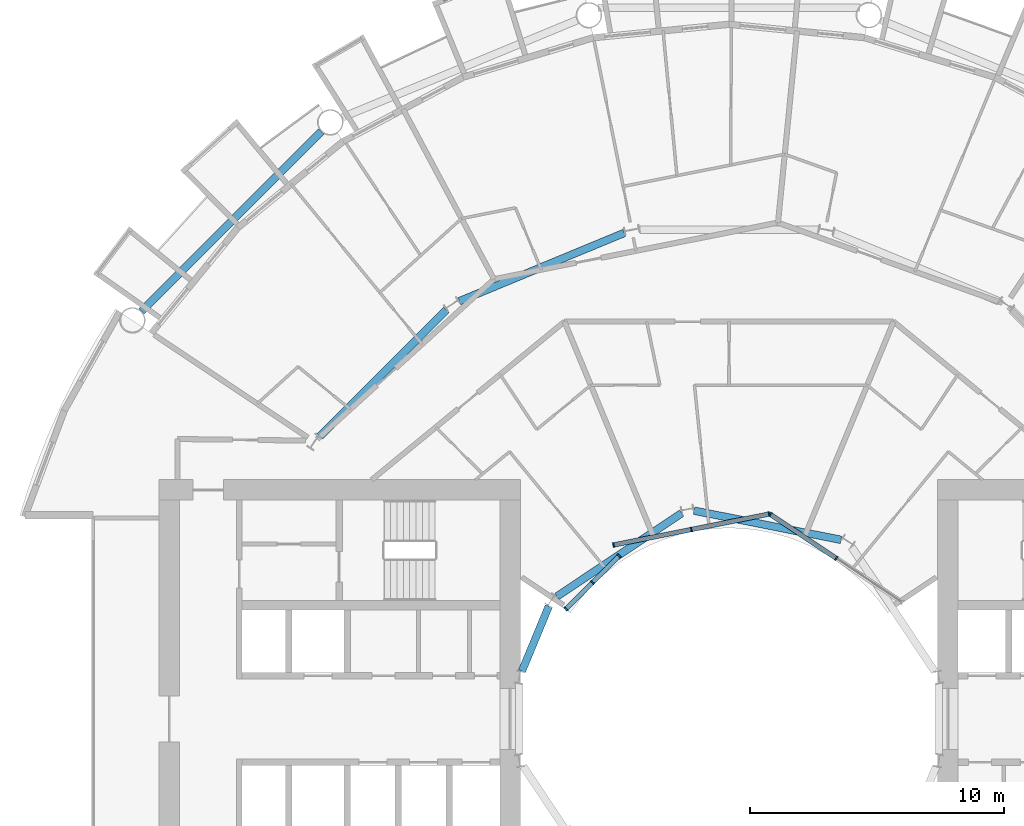
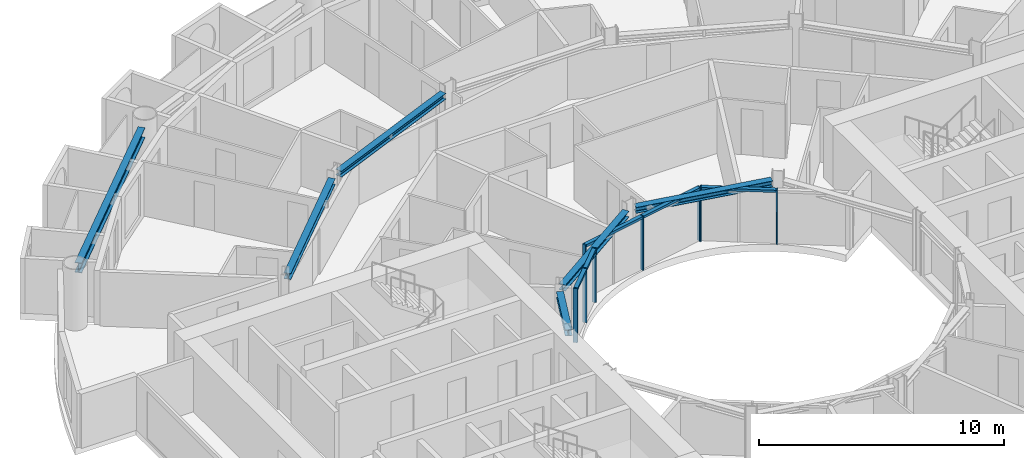
# One storey, part 7 of 26: 13 members, 6 beams, 3 elements without a shape of their own.
"""IFC4 building model written with IfcOpenShell, lengths in metres."""

from ifc_helpers import new_model, si_unit, direction, frame, origin, origin_2d, place, context, subcontext, project, spatial, rectangle, i_section, extrude, material, layer, layer_set, material_profile, profile_set, type_object, element, aggregate, save


model = new_model("IFC4")

# Units and contexts
model_context = context("Model", 3, precision=1e-05, world=origin(), true_north=direction((0.0, 1.0)))
body_context = subcontext(model_context, "Body", "Model", "MODEL_VIEW")
ifc_project = project(units=[si_unit("LENGTHUNIT", "METRE"), si_unit("AREAUNIT", "SQUARE_METRE"), si_unit("VOLUMEUNIT", "CUBIC_METRE"), si_unit("PLANEANGLEUNIT", "RADIAN"), si_unit("MASSUNIT", "GRAM", prefix="KILO")], contexts=[model_context])

# Site, building, storey
site_placement = place(None, origin())
site = spatial("IfcSite", under=ifc_project, at=site_placement, CompositionType="ELEMENT")
building_placement = place(site_placement, origin())
building = spatial("IfcBuilding", under=site, at=building_placement, Name="Maasbend Ring Residences", CompositionType="ELEMENT")
storey_placement = place(building_placement, frame((0.0, 0.0, 35.0)))
storey = spatial("IfcBuildingStorey", under=building, at=storey_placement, Name="L09", CompositionType="ELEMENT", Elevation=35.0)

# Curtain wall, members
ifc_material_1 = material(Name="Aluminium and clear glass", Category="aluminium")
ifc_layer = layer(ifc_material_1, 0.179931640625)
ifc_layer_set = layer_set([ifc_layer], Name="CW-W")
curtain_wall_type = type_object("IfcCurtainWallType", Name="CW-W", PredefinedType="NOTDEFINED", material=ifc_layer_set)
curtain_wall_1_placement = place(storey_placement, origin())
curtain_wall_1 = element("IfcCurtainWall", 1, at=curtain_wall_1_placement, inside=storey, type_object=curtain_wall_type, Name="Well curtain wall N1", PredefinedType="NOTDEFINED")
ifc_material_2 = material(Name="Aluminium 6063-T6", Category="aluminium")
ifc_material_profile_1 = material_profile(ifc_material_2, rectangle(XDim=0.179931640625, YDim=0.06005859375, at=origin_2d()), Name="AL 180x60")
ifc_profile_set_1 = profile_set([ifc_material_profile_1], Name="Aluminium 6063-T6")
member_type_1 = type_object("IfcMemberType", Name="CWM-W", PredefinedType="MULLION", material=ifc_profile_set_1)
member_1_placement = place(storey_placement, frame((4.216796875, 6.310791015625, 0.0), z_axis=(0.0, 0.0, 1.0), x_axis=(-0.55557023302, -0.831469612303, 0.0)))
member_1 = element("IfcMember", 2, at=member_1_placement, type_object=member_type_1, Name="Mullion well face", PredefinedType="MULLION", context=body_context, shape_type="SweptSolid", body=[
    extrude(rectangle(XDim=0.179931640625, YDim=0.06005859375, at=origin_2d()), origin(), (0.0, 0.0, 1.0), 2.699951171875),
])
member_2_placement = place(storey_placement, frame((1.627685546875, 8.040771484375, 0.0), z_axis=(0.0, 0.0, 1.0), x_axis=(-0.55557023302, -0.831469612303, 0.0)))
member_2 = element("IfcMember", 3, at=member_2_placement, type_object=member_type_1, Name="Mullion well face", PredefinedType="MULLION", context=body_context, shape_type="SweptSolid", body=[
    extrude(rectangle(XDim=0.179931640625, YDim=0.06005859375, at=origin_2d()), origin(), (0.0, 0.0, 1.0), 2.699951171875),
])

curtain_wall_2_placement = place(storey_placement, origin())
curtain_wall_2 = element("IfcCurtainWall", 4, at=curtain_wall_2_placement, inside=storey, type_object=curtain_wall_type, Name="Well curtain wall N2", PredefinedType="NOTDEFINED")
member_3_placement = place(storey_placement, frame((1.5732421875, 8.0517578125, 0.0), z_axis=(0.0, 0.0, 1.0), x_axis=(0.195090322016, -0.980785280403, 0.0)))
member_3 = element("IfcMember", 5, at=member_3_placement, type_object=member_type_1, Name="Mullion well face", PredefinedType="MULLION", context=body_context, shape_type="SweptSolid", body=[
    extrude(rectangle(XDim=0.179931640625, YDim=0.06005859375, at=origin_2d()), origin(), (0.0, 0.0, 1.0), 2.699951171875),
])
member_4_placement = place(storey_placement, frame((-1.480712890625, 7.444091796875, 0.0), z_axis=(0.0, 0.0, 1.0), x_axis=(0.195090322016, -0.980785280403, 0.0)))
member_4 = element("IfcMember", 6, at=member_4_placement, type_object=member_type_1, Name="Mullion well face", PredefinedType="MULLION", context=body_context, shape_type="SweptSolid", body=[
    extrude(rectangle(XDim=0.179931640625, YDim=0.06005859375, at=origin_2d()), origin(), (0.0, 0.0, 1.0), 2.699951171875),
])
member_5_placement = place(storey_placement, frame((-4.53466796875, 6.836669921875, 0.0), z_axis=(0.0, 0.0, 1.0), x_axis=(0.195090322016, -0.980785280403, 0.0)))
member_5 = element("IfcMember", 7, at=member_5_placement, type_object=member_type_1, Name="Mullion well face", PredefinedType="MULLION", context=body_context, shape_type="SweptSolid", body=[
    extrude(rectangle(XDim=0.179931640625, YDim=0.06005859375, at=origin_2d()), origin(), (0.0, 0.0, 1.0), 2.699951171875),
])

curtain_wall_3_placement = place(storey_placement, origin())
curtain_wall_3 = element("IfcCurtainWall", 8, at=curtain_wall_3_placement, inside=storey, type_object=curtain_wall_type, Name="Well curtain wall N3", PredefinedType="NOTDEFINED")
member_6_placement = place(storey_placement, frame((-4.320556640625, 6.413330078125, 0.0), z_axis=(0.0, 0.0, 1.0), x_axis=(0.707106781187, -0.707106781187, 0.0)))
member_6 = element("IfcMember", 9, at=member_6_placement, type_object=member_type_1, Name="Mullion well face", PredefinedType="MULLION", context=body_context, shape_type="SweptSolid", body=[
    extrude(rectangle(XDim=0.179931640625, YDim=0.06005859375, at=origin_2d()), origin(), (0.0, 0.0, 1.0), 2.699951171875),
])
member_7_placement = place(storey_placement, frame((-5.366943359375, 5.366943359375, 0.0), z_axis=(0.0, 0.0, 1.0), x_axis=(0.707106781187, -0.707106781187, 0.0)))
member_7 = element("IfcMember", 10, at=member_7_placement, type_object=member_type_1, Name="Mullion well face", PredefinedType="MULLION", context=body_context, shape_type="SweptSolid", body=[
    extrude(rectangle(XDim=0.179931640625, YDim=0.06005859375, at=origin_2d()), origin(), (0.0, 0.0, 1.0), 2.699951171875),
])
member_8_placement = place(storey_placement, frame((-6.413330078125, 4.320556640625, 0.0), z_axis=(0.0, 0.0, 1.0), x_axis=(0.707106781187, -0.707106781187, 0.0)))
member_8 = element("IfcMember", 11, at=member_8_placement, type_object=member_type_1, Name="Mullion well face", PredefinedType="MULLION", context=body_context, shape_type="SweptSolid", body=[
    extrude(rectangle(XDim=0.179931640625, YDim=0.06005859375, at=origin_2d()), origin(), (0.0, 0.0, 1.0), 2.699951171875),
])

# Member
ifc_material_3 = material(Name="Aluminium 6063-T6", Category="aluminium")
ifc_material_profile_2 = material_profile(ifc_material_3, rectangle(XDim=0.179931640625, YDim=0.1201171875, at=origin_2d()), Name="AL 180x120")
ifc_profile_set_2 = profile_set([ifc_material_profile_2], Name="Aluminium 6063-T6")
member_type_2 = type_object("IfcMemberType", Name="CWT-W", PredefinedType="USERDEFINED", material=ifc_profile_set_2)
member_9_placement = place(storey_placement, frame((4.19189453125, 6.32763671875, 2.639892578125), z_axis=(-0.831496422459, 0.555530106689, 0.0), x_axis=(-0.555530106689, -0.831496422459, 0.0)))
member_9 = element("IfcMember", 12, at=member_9_placement, type_object=member_type_2, Name="Transom well face", ObjectType="TRANSOM", PredefinedType="USERDEFINED", context=body_context, shape_type="SweptSolid", body=[
    extrude(rectangle(XDim=0.179931640625, YDim=0.1201171875, at=origin_2d()), origin(), (0.0, 0.0, 1.0), 3.053955078125),
])

aggregate(curtain_wall_1, [member_1, member_2, member_9])

member_10_placement = place(storey_placement, frame((1.5439453125, 8.0458984375, 2.639892578125), z_axis=(-0.980776956105, -0.195132166424, 0.0), x_axis=(0.195132166424, -0.980776956105, 0.0)))
member_10 = element("IfcMember", 13, at=member_10_placement, type_object=member_type_2, Name="Transom well face", ObjectType="TRANSOM", PredefinedType="USERDEFINED", context=body_context, shape_type="SweptSolid", body=[
    extrude(rectangle(XDim=0.179931640625, YDim=0.1201171875, at=origin_2d()), origin(), (0.0, 0.0, 1.0), 3.053955078125),
])

member_11_placement = place(storey_placement, frame((-1.51025390625, 7.438232421875, 2.639892578125), z_axis=(-0.980789210404, -0.19507056353, 0.0), x_axis=(0.19507056353, -0.980789210404, 0.0)))
member_11 = element("IfcMember", 14, at=member_11_placement, type_object=member_type_2, Name="Transom well face", ObjectType="TRANSOM", PredefinedType="USERDEFINED", context=body_context, shape_type="SweptSolid", body=[
    extrude(rectangle(XDim=0.179931640625, YDim=0.1201171875, at=origin_2d()), origin(), (0.0, 0.0, 1.0), 3.0537109375),
])

aggregate(curtain_wall_2, [member_3, member_4, member_5, member_10, member_11])

member_12_placement = place(storey_placement, frame((-4.341796875, 6.39208984375, 2.639892578125), z_axis=(-0.707106781187, -0.707106781187, 0.0), x_axis=(0.707106781187, -0.707106781187, 0.0)))
member_12 = element("IfcMember", 15, at=member_12_placement, type_object=member_type_2, Name="Transom well face", ObjectType="TRANSOM", PredefinedType="USERDEFINED", context=body_context, shape_type="SweptSolid", body=[
    extrude(rectangle(XDim=0.179931640625, YDim=0.1201171875, at=origin_2d()), origin(), (0.0, 0.0, 1.0), 1.419677734375),
])

member_13_placement = place(storey_placement, frame((-5.38818359375, 5.345703125, 2.639892578125), z_axis=(-0.707106781187, -0.707106781187, 0.0), x_axis=(0.707106781187, -0.707106781187, 0.0)))
member_13 = element("IfcMember", 16, at=member_13_placement, type_object=member_type_2, Name="Transom well face", ObjectType="TRANSOM", PredefinedType="USERDEFINED", context=body_context, shape_type="SweptSolid", body=[
    extrude(rectangle(XDim=0.179931640625, YDim=0.1201171875, at=origin_2d()), origin(), (0.0, 0.0, 1.0), 1.419677734375),
])

aggregate(curtain_wall_3, [member_6, member_7, member_8, member_12, member_13])

# Beams
ifc_material_4 = material(Name="Steel S355J2", Category="steel")
ifc_material_profile_3 = material_profile(ifc_material_4, i_section(OverallWidth=0.300048828125, OverallDepth=0.300048828125, WebThickness=0.010986328125, FlangeThickness=0.01904296875, FilletRadius=0.027099609375, at=origin_2d()), Name="HEB 300")
ifc_profile_set_3 = profile_set([ifc_material_profile_3], Name="Steel S355J2")
beam_type_1 = type_object("IfcBeamType", Name="Corridor ring beam HEB 300", PredefinedType="BEAM", material=ifc_profile_set_3)
beam_1_placement = place(storey_placement, frame((-4.11572265625, 19.102294921875, 2.550048828125), z_axis=(-0.923886196809, -0.38266734293, 0.0), x_axis=(0.38266734293, -0.923886196809, 0.0)))
element("IfcBeam", 17, at=beam_1_placement, inside=storey, type_object=beam_type_1, Name="Corridor ring beam", PredefinedType="BEAM", context=body_context, shape_type="SweptSolid", body=[
    extrude(i_section(OverallWidth=0.300048828125, OverallDepth=0.300048828125, WebThickness=0.010986328125, FlangeThickness=0.01904296875, FilletRadius=0.027099609375, at=origin_2d()), origin(), (0.0, 0.0, 1.0), 7.015380859375),
])
beam_2_placement = place(storey_placement, frame((-11.11279296875, 16.0732421875, 2.550048828125), z_axis=(-0.707106781187, -0.707106781187, 0.0), x_axis=(0.707106781187, -0.707106781187, 0.0)))
element("IfcBeam", 18, at=beam_2_placement, inside=storey, type_object=beam_type_1, Name="Corridor ring beam", PredefinedType="BEAM", context=body_context, shape_type="SweptSolid", body=[
    extrude(i_section(OverallWidth=0.300048828125, OverallDepth=0.300048828125, WebThickness=0.010986328125, FlangeThickness=0.01904296875, FilletRadius=0.027099609375, at=origin_2d()), origin(), (0.0, 0.0, 1.0), 7.01513671875),
])
ifc_material_5 = material(Name="Steel S355J2", Category="steel")
ifc_material_profile_4 = material_profile(ifc_material_5, i_section(OverallWidth=0.300048828125, OverallDepth=0.5, WebThickness=0.014404296875, FlangeThickness=0.028076171875, FilletRadius=0.027099609375, at=origin_2d()), Name="HEB 500")
ifc_profile_set_4 = profile_set([ifc_material_profile_4], Name="Steel S355J2")
beam_type_2 = type_object("IfcBeamType", Name="Spandrel ring beam HEB 500", PredefinedType="SPANDREL", material=ifc_profile_set_4)
beam_3_placement = place(storey_placement, frame((-16.0263671875, 23.088134765625, 2.449951171875), z_axis=(-0.707106781187, -0.707106781187, 0.0), x_axis=(0.707106781187, -0.707106781187, 0.0)))
element("IfcBeam", 19, at=beam_3_placement, inside=storey, type_object=beam_type_2, Name="Spandrel ring beam", PredefinedType="SPANDREL", context=body_context, shape_type="SweptSolid", body=[
    extrude(i_section(OverallWidth=0.300048828125, OverallDepth=0.5, WebThickness=0.014404296875, FlangeThickness=0.028076171875, FilletRadius=0.027099609375, at=origin_2d()), origin(), (0.0, 0.0, 1.0), 9.98681640625),
])
ifc_material_6 = material(Name="Steel S355J2", Category="steel")
ifc_material_profile_5 = material_profile(ifc_material_6, i_section(OverallWidth=0.300048828125, OverallDepth=0.300048828125, WebThickness=0.010986328125, FlangeThickness=0.01904296875, FilletRadius=0.027099609375, at=origin_2d()), Name="HEB 300")
ifc_profile_set_5 = profile_set([ifc_material_profile_5], Name="Steel S355J2")
beam_type_3 = type_object("IfcBeamType", Name="Well edge beam HEB 300", PredefinedType="BEAM", material=ifc_profile_set_5)
beam_4_placement = place(storey_placement, frame((4.4013671875, 7.037109375, 2.550048828125), z_axis=(-0.980784282486, 0.195095338819, 0.0), x_axis=(-0.195095338819, -0.980784282486, 0.0)))
element("IfcBeam", 20, at=beam_4_placement, inside=storey, type_object=beam_type_3, Name="Well edge beam", PredefinedType="BEAM", context=body_context, shape_type="SweptSolid", body=[
    extrude(i_section(OverallWidth=0.300048828125, OverallDepth=0.300048828125, WebThickness=0.010986328125, FlangeThickness=0.01904296875, FilletRadius=0.027099609375, at=origin_2d()), origin(), (0.0, 0.0, 1.0), 5.8876953125),
])
beam_5_placement = place(storey_placement, frame((-1.86376953125, 8.08837890625, 2.550048828125), z_axis=(-0.831456549723, -0.555589782054, 0.0), x_axis=(0.555589782054, -0.831456549723, 0.0)))
element("IfcBeam", 21, at=beam_5_placement, inside=storey, type_object=beam_type_3, Name="Well edge beam", PredefinedType="BEAM", context=body_context, shape_type="SweptSolid", body=[
    extrude(i_section(OverallWidth=0.300048828125, OverallDepth=0.300048828125, WebThickness=0.010986328125, FlangeThickness=0.01904296875, FilletRadius=0.027099609375, at=origin_2d()), origin(), (0.0, 0.0, 1.0), 5.887939453125),
])
beam_6_placement = place(storey_placement, frame((-7.081787109375, 4.431396484375, 2.550048828125), z_axis=(-0.382723119906, -0.923863092395, 0.0), x_axis=(0.923863092395, -0.382723119906, 0.0)))
element("IfcBeam", 22, at=beam_6_placement, inside=storey, type_object=beam_type_3, Name="Well edge beam", PredefinedType="BEAM", context=body_context, shape_type="SweptSolid", body=[
    extrude(i_section(OverallWidth=0.300048828125, OverallDepth=0.300048828125, WebThickness=0.010986328125, FlangeThickness=0.01904296875, FilletRadius=0.027099609375, at=origin_2d()), origin(), (0.0, 0.0, 1.0), 2.767822265625),
])

save(model, "model.ifc")
